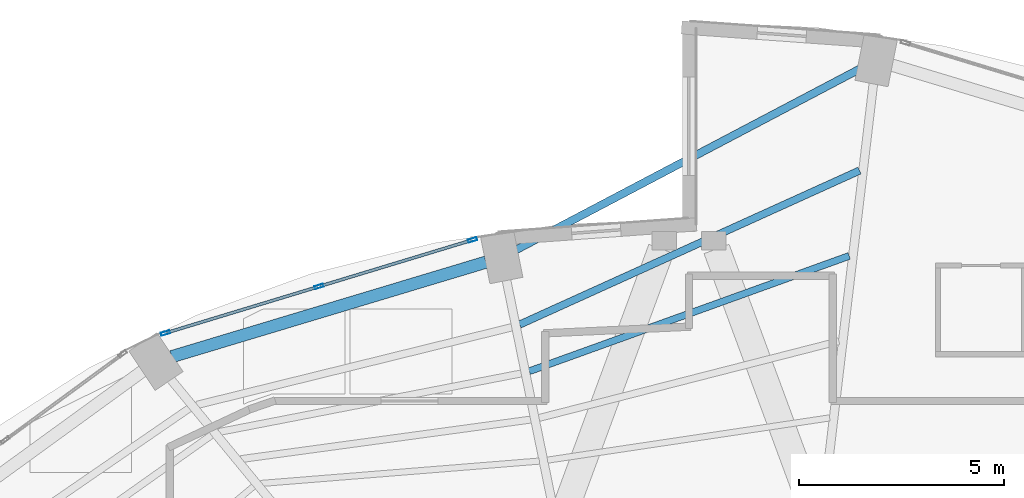
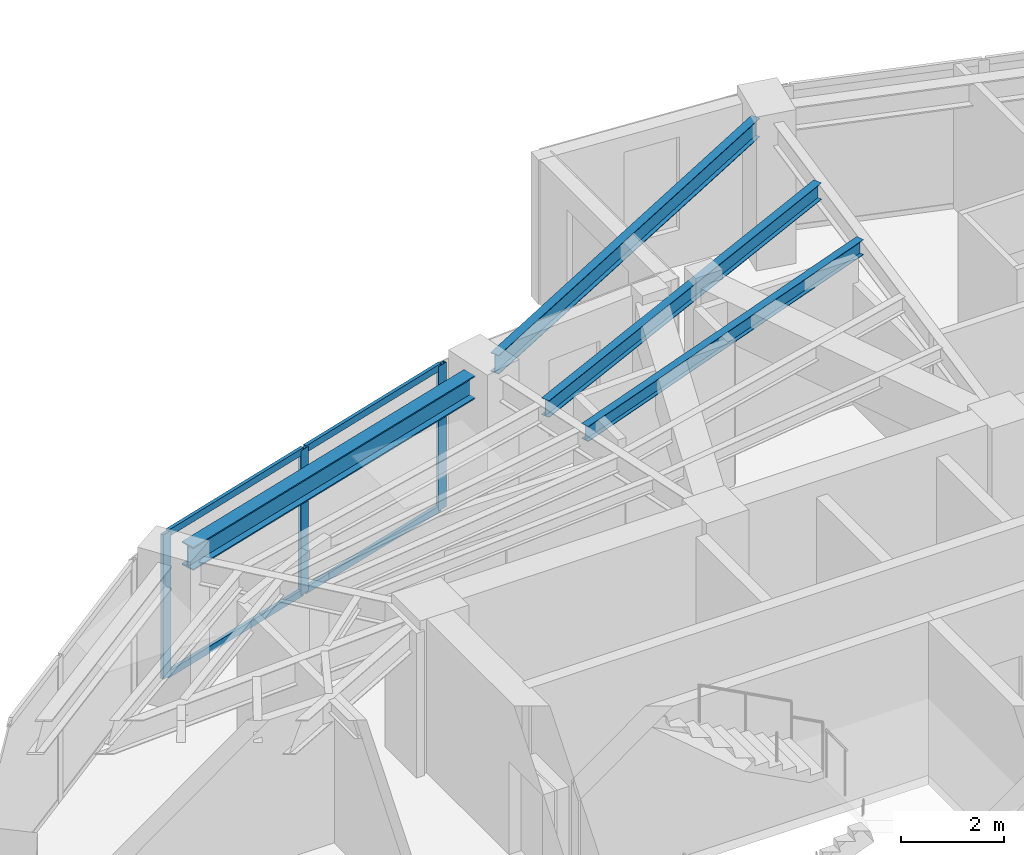
# One storey, part 12 of 19: 7 members, 4 beams, 1 element without a shape of its own.
"""IFC4 building model written with IfcOpenShell, lengths in metres."""

from ifc_helpers import new_model, si_unit, direction, frame, origin, origin_2d, place, context, subcontext, project, spatial, hollow_rectangle, i_section, extrude, material, layer, layer_set, material_profile, profile_set, type_object, element, aggregate, save


model = new_model("IFC4")

# Units and contexts
model_context = context("Model", 3, precision=1e-05, world=origin(), true_north=direction((0.0, 1.0)))
body_context = subcontext(model_context, "Body", "Model", "MODEL_VIEW")
ifc_project = project(units=[si_unit("LENGTHUNIT", "METRE"), si_unit("AREAUNIT", "SQUARE_METRE"), si_unit("VOLUMEUNIT", "CUBIC_METRE"), si_unit("PLANEANGLEUNIT", "RADIAN"), si_unit("MASSUNIT", "GRAM", prefix="KILO")], contexts=[model_context])

# Site, building, storey
site_placement = place(None, origin())
site = spatial("IfcSite", under=ifc_project, at=site_placement, CompositionType="ELEMENT")
building_placement = place(site_placement, origin())
building = spatial("IfcBuilding", under=site, at=building_placement, Name="Lazwardi Medical Tower", CompositionType="ELEMENT")
storey_placement = place(building_placement, frame((0.0, 0.0, 167.471923828125)))
storey = spatial("IfcBuildingStorey", under=building, at=storey_placement, Name="L43", CompositionType="ELEMENT", Elevation=167.471923828125)

# Beams
ifc_material_1 = material(Name="Steel S355", Category="steel")
ifc_material_profile_1 = material_profile(ifc_material_1, i_section(OverallWidth=0.300048828125, OverallDepth=0.550048828125, WebThickness=0.014892578125, FlangeThickness=0.029052734375, at=origin_2d()), Name="HEB 550")
ifc_profile_set_1 = profile_set([ifc_material_profile_1], Name="Steel S355")
beam_type_1 = type_object("IfcBeamType", Name="BM-RB-Z3", PredefinedType="BEAM", material=ifc_profile_set_1)
beam_1_placement = place(storey_placement, frame((31.056884765625, 42.133544921875, 3.153076171875), z_axis=(-0.957616873483, -0.288045002771, 0.0), x_axis=(0.288045002771, -0.957616873483, 0.0)))
element("IfcBeam", 1, at=beam_1_placement, inside=storey, type_object=beam_type_1, Name="Ring beam RB-04 B09 L43", PredefinedType="BEAM", context=body_context, shape_type="SweptSolid", body=[
    extrude(i_section(OverallWidth=0.300048828125, OverallDepth=0.550048828125, WebThickness=0.014892578125, FlangeThickness=0.029052734375, at=origin_2d()), origin(), (0.0, 0.0, 1.0), 7.99951171875),
])
ifc_material_profile_2 = material_profile(ifc_material_1, i_section(OverallWidth=0.179931640625, OverallDepth=0.39990234375, WebThickness=0.008544921875, FlangeThickness=0.013427734375, at=origin_2d()), Name="IPE 400")
ifc_profile_set_2 = profile_set([ifc_material_profile_2], Name="Steel S355")
beam_type_2 = type_object("IfcBeamType", Name="BM-SJ-01", PredefinedType="JOIST", material=ifc_profile_set_2)
beam_2_placement = place(storey_placement, frame((40.155029296875, 44.3642578125, 3.22802734375), z_axis=(-0.910834000674, -0.412772846995, 0.0), x_axis=(0.412772846995, -0.910834000674, 0.0)))
element("IfcBeam", 2, at=beam_2_placement, inside=storey, type_object=beam_type_2, Name="Secondary joist SJ-01 R1 B08 L43", PredefinedType="JOIST", context=body_context, shape_type="SweptSolid", body=[
    extrude(i_section(OverallWidth=0.179931640625, OverallDepth=0.39990234375, WebThickness=0.008544921875, FlangeThickness=0.013427734375, at=origin_2d()), origin(), (0.0, 0.0, 1.0), 9.09130859375),
])
ifc_material_profile_3 = material_profile(ifc_material_1, i_section(OverallWidth=0.169921875, OverallDepth=0.360107421875, WebThickness=0.008056640625, FlangeThickness=0.0126953125, at=origin_2d()), Name="IPE 360")
ifc_profile_set_3 = profile_set([ifc_material_profile_3], Name="Steel S355")
beam_type_3 = type_object("IfcBeamType", Name="BM-SJ-02", PredefinedType="JOIST", material=ifc_profile_set_3)
beam_3_placement = place(storey_placement, frame((39.904052734375, 42.284423828125, 3.248046875), z_axis=(-0.940747993319, -0.339106492221, 0.0), x_axis=(0.339106492221, -0.940747993319, 0.0)))
element("IfcBeam", 3, at=beam_3_placement, inside=storey, type_object=beam_type_3, Name="Secondary joist SJ-02 R2 B08 L43", PredefinedType="JOIST", context=body_context, shape_type="SweptSolid", body=[
    extrude(i_section(OverallWidth=0.169921875, OverallDepth=0.360107421875, WebThickness=0.008056640625, FlangeThickness=0.0126953125, at=origin_2d()), origin(), (0.0, 0.0, 1.0), 8.28662109375),
])
ifc_material_profile_4 = material_profile(ifc_material_1, i_section(OverallWidth=0.18994140625, OverallDepth=0.449951171875, WebThickness=0.009521484375, FlangeThickness=0.0146484375, at=origin_2d()), Name="IPE 450")
ifc_profile_set_4 = profile_set([ifc_material_profile_4], Name="Steel S355")
beam_type_4 = type_object("IfcBeamType", Name="BM-SP-01", PredefinedType="SPANDREL", material=ifc_profile_set_4)
beam_4_placement = place(storey_placement, frame((40.206298828125, 46.862548828125, 3.203125), z_axis=(-0.884926578414, -0.465730556026, 0.0), x_axis=(0.465730556026, -0.884926578414, 0.0)))
element("IfcBeam", 4, at=beam_4_placement, inside=storey, type_object=beam_type_4, Name="Spandrel beam SP-01 B08 L43", PredefinedType="SPANDREL", context=body_context, shape_type="SweptSolid", body=[
    extrude(i_section(OverallWidth=0.18994140625, OverallDepth=0.449951171875, WebThickness=0.009521484375, FlangeThickness=0.0146484375, at=origin_2d()), origin(), (0.0, 0.0, 1.0), 9.506591796875),
])

# Curtain wall, members
ifc_material_2 = material(Name="Anodised bronze aluminium and solar control glazing", Category="aluminium")
ifc_layer = layer(ifc_material_2, 0.195068359375)
ifc_layer_set = layer_set([ifc_layer], Name="Anodised bronze aluminium and solar control glazing")
curtain_wall_type = type_object("IfcCurtainWallType", Name="CW-SYS-03", PredefinedType="NOTDEFINED", material=ifc_layer_set)
curtain_wall_placement = place(storey_placement, origin())
curtain_wall = element("IfcCurtainWall", 5, at=curtain_wall_placement, inside=storey, type_object=curtain_wall_type, Name="L43 Unitised bronze curtain wall CW-03", PredefinedType="NOTDEFINED")
ifc_material_3 = material(Name="Anodised bronze aluminium", Category="aluminium")
ifc_material_profile_5 = material_profile(ifc_material_3, hollow_rectangle(XDim=0.074951171875, YDim=0.219970703125, WallThickness=0.00390625, at=origin_2d()), Name="ALU-MULLION 220x75x4")
ifc_profile_set_5 = profile_set([ifc_material_profile_5], Name="Anodised bronze aluminium")
member_type_1 = type_object("IfcMemberType", Name="CW-MUL-01", PredefinedType="MULLION", material=ifc_profile_set_5)
member_1_placement = place(storey_placement, frame((30.72802734375, 42.674072265625, 0.0), z_axis=(0.0, 0.0, 1.0), x_axis=(0.290280785441, -0.956941516292, 0.0)))
member_1 = element("IfcMember", 6, at=member_1_placement, type_object=member_type_1, Name="CW-03 mullion 1", PredefinedType="MULLION", context=body_context, shape_type="SweptSolid", body=[
    extrude(hollow_rectangle(XDim=0.074951171875, YDim=0.219970703125, WallThickness=0.00390625, at=origin_2d()), origin(), (0.0, 0.0, 1.0), 3.427978515625),
])
member_2_placement = place(storey_placement, frame((26.98486328125, 41.538818359375, 0.0), z_axis=(0.0, 0.0, 1.0), x_axis=(0.290280785441, -0.956941516292, 0.0)))
member_2 = element("IfcMember", 7, at=member_2_placement, type_object=member_type_1, Name="CW-03 mullion 2", PredefinedType="MULLION", context=body_context, shape_type="SweptSolid", body=[
    extrude(hollow_rectangle(XDim=0.074951171875, YDim=0.219970703125, WallThickness=0.00390625, at=origin_2d()), origin(), (0.0, 0.0, 1.0), 3.427978515625),
])
member_3_placement = place(storey_placement, frame((23.241943359375, 40.4033203125, 0.0), z_axis=(0.0, 0.0, 1.0), x_axis=(0.290280785441, -0.956941516292, 0.0)))
member_3 = element("IfcMember", 8, at=member_3_placement, type_object=member_type_1, Name="CW-03 mullion 3", PredefinedType="MULLION", context=body_context, shape_type="SweptSolid", body=[
    extrude(hollow_rectangle(XDim=0.074951171875, YDim=0.219970703125, WallThickness=0.00390625, at=origin_2d()), origin(), (0.0, 0.0, 1.0), 3.427978515625),
])
ifc_material_profile_6 = material_profile(ifc_material_3, hollow_rectangle(XDim=0.074951171875, YDim=0.159912109375, WallThickness=0.00390625, at=origin_2d()), Name="ALU-TRANSOM 160x75x4")
ifc_profile_set_6 = profile_set([ifc_material_profile_6], Name="Anodised bronze aluminium")
member_type_2 = type_object("IfcMemberType", Name="CW-TRN-01", PredefinedType="USERDEFINED", material=ifc_profile_set_6)
member_4_placement = place(storey_placement, frame((30.692138671875, 42.663330078125, 0.03759765625), z_axis=(-0.956935517424, -0.290300560612, 0.0), x_axis=(0.290300560612, -0.956935517424, 0.0)))
member_4 = element("IfcMember", 9, at=member_4_placement, type_object=member_type_2, Name="CW-03 transom 1.1", ObjectType="TRANSOM", PredefinedType="USERDEFINED", context=body_context, shape_type="SweptSolid", body=[
    extrude(hollow_rectangle(XDim=0.074951171875, YDim=0.159912109375, WallThickness=0.00390625, at=origin_2d()), origin(), (0.0, 0.0, 1.0), 3.836669921875),
])
member_5_placement = place(storey_placement, frame((30.692138671875, 42.663330078125, 3.390625), z_axis=(-0.956935517424, -0.290300560612, 0.0), x_axis=(0.290300560612, -0.956935517424, 0.0)))
member_5 = element("IfcMember", 10, at=member_5_placement, type_object=member_type_2, Name="CW-03 transom 1.2", ObjectType="TRANSOM", PredefinedType="USERDEFINED", context=body_context, shape_type="SweptSolid", body=[
    extrude(hollow_rectangle(XDim=0.074951171875, YDim=0.159912109375, WallThickness=0.00390625, at=origin_2d()), origin(), (0.0, 0.0, 1.0), 3.836669921875),
])
member_6_placement = place(storey_placement, frame((26.948974609375, 41.52783203125, 0.03759765625), z_axis=(-0.956930154175, -0.290318239233, 0.0), x_axis=(0.290318239233, -0.956930154175, 0.0)))
member_6 = element("IfcMember", 11, at=member_6_placement, type_object=member_type_2, Name="CW-03 transom 2.1", ObjectType="TRANSOM", PredefinedType="USERDEFINED", context=body_context, shape_type="SweptSolid", body=[
    extrude(hollow_rectangle(XDim=0.074951171875, YDim=0.159912109375, WallThickness=0.00390625, at=origin_2d()), origin(), (0.0, 0.0, 1.0), 3.83642578125),
])
member_7_placement = place(storey_placement, frame((26.948974609375, 41.52783203125, 3.390625), z_axis=(-0.956930154175, -0.290318239233, 0.0), x_axis=(0.290318239233, -0.956930154175, 0.0)))
member_7 = element("IfcMember", 12, at=member_7_placement, type_object=member_type_2, Name="CW-03 transom 2.2", ObjectType="TRANSOM", PredefinedType="USERDEFINED", context=body_context, shape_type="SweptSolid", body=[
    extrude(hollow_rectangle(XDim=0.074951171875, YDim=0.159912109375, WallThickness=0.00390625, at=origin_2d()), origin(), (0.0, 0.0, 1.0), 3.83642578125),
])
aggregate(curtain_wall, [member_1, member_2, member_3, member_4, member_5, member_6, member_7])

save(model, "model.ifc")
